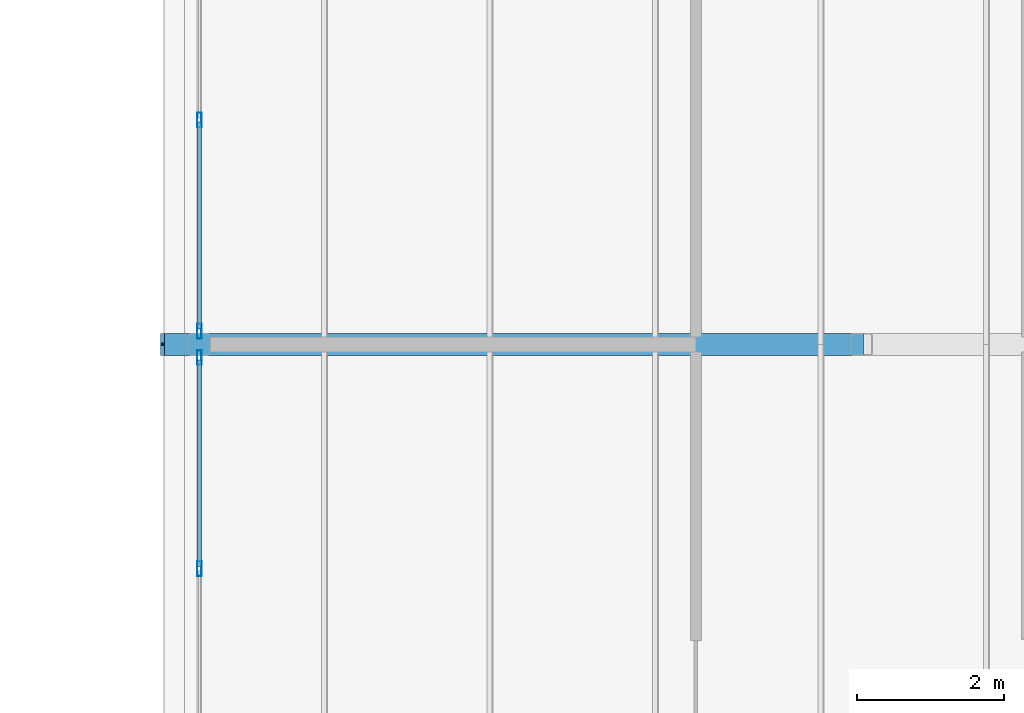
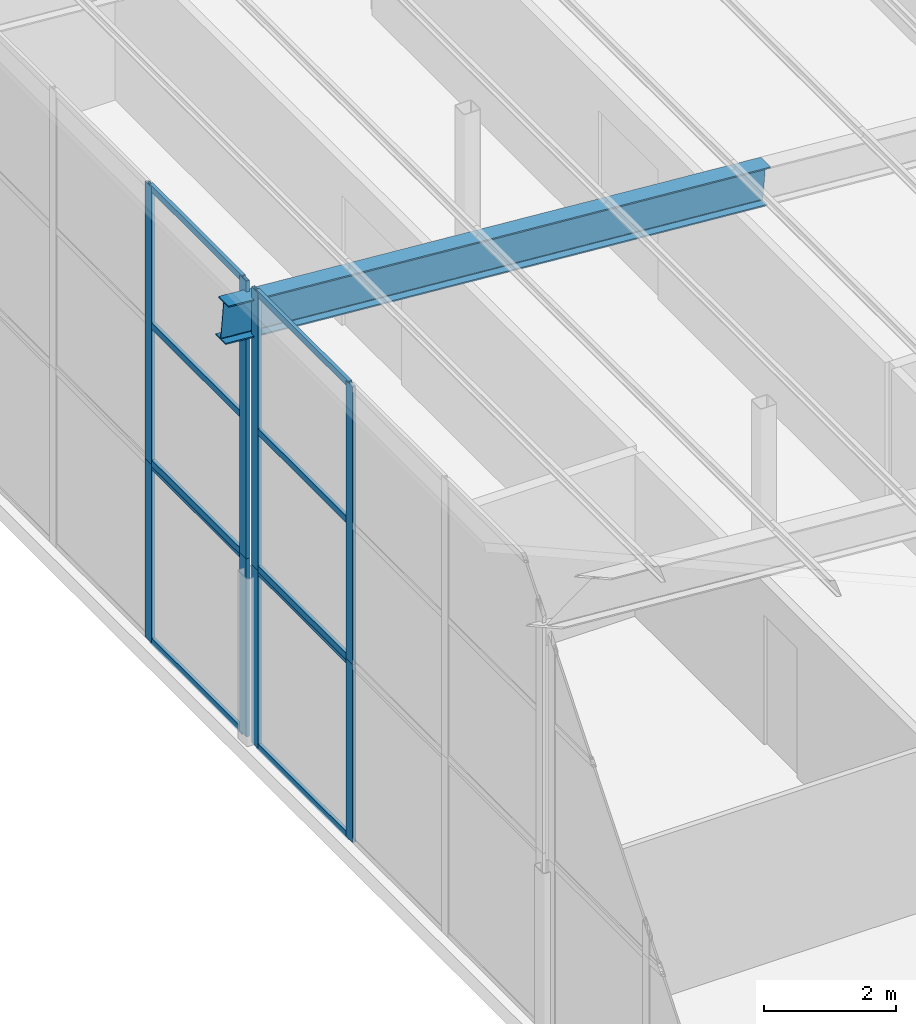
# One storey, part 39 of 85: 19 members, 4 elements without a shape of their own.
"""IFC4 building model written with IfcOpenShell, lengths in metres."""

from ifc_helpers import new_model, si_unit, direction, frame, origin, origin_2d, place, context, subcontext, project, spatial, hollow_rectangle, i_section, extrude, material, layer, layer_set, material_profile, profile_set, type_object, element, aggregate, save


model = new_model("IFC4")

# Units and contexts
model_context = context("Model", 3, precision=1e-05, world=origin(), true_north=direction((0.0, 1.0)))
body_context = subcontext(model_context, "Body", "Model", "MODEL_VIEW")
ifc_project = project(units=[si_unit("LENGTHUNIT", "METRE"), si_unit("AREAUNIT", "SQUARE_METRE"), si_unit("VOLUMEUNIT", "CUBIC_METRE"), si_unit("PLANEANGLEUNIT", "RADIAN"), si_unit("MASSUNIT", "GRAM", prefix="KILO")], contexts=[model_context])

# Site, building, storey
site_placement = place(None, origin())
site = spatial("IfcSite", under=ifc_project, at=site_placement, CompositionType="ELEMENT")
building_placement = place(site_placement, origin())
building = spatial("IfcBuilding", under=site, at=building_placement, Name="Opaline Strait Convention Centre", CompositionType="ELEMENT")
storey_placement = place(building_placement, frame((0.0, 0.0, 17.0)))
storey = spatial("IfcBuildingStorey", under=building, at=storey_placement, Name="L03", CompositionType="ELEMENT", Elevation=17.0)

# Curtain wall, members
ifc_material_1 = material(Name="Aluminium framed double glazing", Category="aluminium")
ifc_layer = layer(ifc_material_1, 0.199951171875)
ifc_layer_set = layer_set([ifc_layer], Name="Aluminium framed double glazing")
curtain_wall_type = type_object("IfcCurtainWallType", Name="Curtain wall 3000 module unitised", PredefinedType="NOTDEFINED", material=ifc_layer_set)
curtain_wall_1_placement = place(storey_placement, origin())
curtain_wall_1 = element("IfcCurtainWall", 1, at=curtain_wall_1_placement, inside=storey, type_object=curtain_wall_type, Name="Curtain wall W L03 32/S", PredefinedType="NOTDEFINED")
ifc_material_2 = material(Name="Aluminium alloy 6063", Category="aluminium")
ifc_material_profile_1 = material_profile(ifc_material_2, hollow_rectangle(XDim=0.06005859375, YDim=0.199951171875, WallThickness=0.00390625, at=origin_2d()), Name="MULLION 60x200x4")
ifc_profile_set_1 = profile_set([ifc_material_profile_1], Name="Aluminium alloy 6063")
member_type_1 = type_object("IfcMemberType", Name="Curtain wall mullion 60 x 200", PredefinedType="MULLION", material=ifc_profile_set_1)
member_1_placement = place(storey_placement, frame((279.0, 149.949951171875, 0.0), z_axis=(0.0, 0.0, 1.0), x_axis=(-1.0, 0.0, 0.0)))
member_1 = element("IfcMember", 2, at=member_1_placement, type_object=member_type_1, Name="MCWR1 mullion 3", PredefinedType="MULLION", context=body_context, shape_type="SweptSolid", body=[
    extrude(hollow_rectangle(XDim=0.06005859375, YDim=0.199951171875, WallThickness=0.00390625, at=origin_2d()), origin(), (0.0, 0.0, 1.0), 3.300048828125),
])
member_2_placement = place(storey_placement, frame((279.0, 152.820068359375, 0.0), z_axis=(0.0, 0.0, 1.0), x_axis=(-1.0, 0.0, 0.0)))
member_2 = element("IfcMember", 3, at=member_2_placement, type_object=member_type_1, Name="MCWR1 mullion 4", PredefinedType="MULLION", context=body_context, shape_type="SweptSolid", body=[
    extrude(hollow_rectangle(XDim=0.06005859375, YDim=0.199951171875, WallThickness=0.00390625, at=origin_2d()), origin(), (0.0, 0.0, 1.0), 3.300048828125),
])

curtain_wall_2_placement = place(storey_placement, origin())
curtain_wall_2 = element("IfcCurtainWall", 4, at=curtain_wall_2_placement, inside=storey, type_object=curtain_wall_type, Name="Curtain wall W L03 32/T", PredefinedType="NOTDEFINED")
member_3_placement = place(storey_placement, frame((279.0, 153.179931640625, 0.0), z_axis=(0.0, 0.0, 1.0), x_axis=(-1.0, 0.0, 0.0)))
member_3 = element("IfcMember", 5, at=member_3_placement, type_object=member_type_1, Name="MCWR1 mullion 1", PredefinedType="MULLION", context=body_context, shape_type="SweptSolid", body=[
    extrude(hollow_rectangle(XDim=0.06005859375, YDim=0.199951171875, WallThickness=0.00390625, at=origin_2d()), origin(), (0.0, 0.0, 1.0), 3.300048828125),
])
member_4_placement = place(storey_placement, frame((279.0, 156.050048828125, 0.0), z_axis=(0.0, 0.0, 1.0), x_axis=(-1.0, 0.0, 0.0)))
member_4 = element("IfcMember", 6, at=member_4_placement, type_object=member_type_1, Name="MCWR1 mullion 2", PredefinedType="MULLION", context=body_context, shape_type="SweptSolid", body=[
    extrude(hollow_rectangle(XDim=0.06005859375, YDim=0.199951171875, WallThickness=0.00390625, at=origin_2d()), origin(), (0.0, 0.0, 1.0), 3.300048828125),
])

curtain_wall_3_placement = place(storey_placement, origin())
curtain_wall_3 = element("IfcCurtainWall", 7, at=curtain_wall_3_placement, inside=storey, type_object=curtain_wall_type, Name="Clerestory curtain wall W L03 32/S", PredefinedType="NOTDEFINED")
member_5_placement = place(storey_placement, frame((279.0, 149.949951171875, 3.300048828125), z_axis=(0.0, 0.0, 1.0), x_axis=(-1.0, 0.0, 0.0)))
member_5 = element("IfcMember", 8, at=member_5_placement, type_object=member_type_1, Name="MCWR1 mullion 3", PredefinedType="MULLION", context=body_context, shape_type="SweptSolid", body=[
    extrude(hollow_rectangle(XDim=0.06005859375, YDim=0.199951171875, WallThickness=0.00390625, at=origin_2d()), origin(), (0.0, 0.0, 1.0), 5.144287109375),
])
member_6_placement = place(storey_placement, frame((279.0, 152.820068359375, 3.300048828125), z_axis=(0.0, 0.0, 1.0), x_axis=(-1.0, 0.0, 0.0)))
member_6 = element("IfcMember", 9, at=member_6_placement, type_object=member_type_1, Name="MCWR1 mullion 4", PredefinedType="MULLION", context=body_context, shape_type="SweptSolid", body=[
    extrude(hollow_rectangle(XDim=0.06005859375, YDim=0.199951171875, WallThickness=0.00390625, at=origin_2d()), origin(), (0.0, 0.0, 1.0), 5.144287109375),
])

curtain_wall_4_placement = place(storey_placement, origin())
curtain_wall_4 = element("IfcCurtainWall", 10, at=curtain_wall_4_placement, inside=storey, type_object=curtain_wall_type, Name="Clerestory curtain wall W L03 32/T", PredefinedType="NOTDEFINED")
member_7_placement = place(storey_placement, frame((279.0, 153.179931640625, 3.300048828125), z_axis=(0.0, 0.0, 1.0), x_axis=(-1.0, 0.0, 0.0)))
member_7 = element("IfcMember", 11, at=member_7_placement, type_object=member_type_1, Name="MCWR1 mullion 1", PredefinedType="MULLION", context=body_context, shape_type="SweptSolid", body=[
    extrude(hollow_rectangle(XDim=0.06005859375, YDim=0.199951171875, WallThickness=0.00390625, at=origin_2d()), origin(), (0.0, 0.0, 1.0), 5.144287109375),
])
member_8_placement = place(storey_placement, frame((279.0, 156.050048828125, 3.300048828125), z_axis=(0.0, 0.0, 1.0), x_axis=(-1.0, 0.0, 0.0)))
member_8 = element("IfcMember", 12, at=member_8_placement, type_object=member_type_1, Name="MCWR1 mullion 2", PredefinedType="MULLION", context=body_context, shape_type="SweptSolid", body=[
    extrude(hollow_rectangle(XDim=0.06005859375, YDim=0.199951171875, WallThickness=0.00390625, at=origin_2d()), origin(), (0.0, 0.0, 1.0), 5.144287109375),
])

# Member
ifc_material_profile_2 = material_profile(ifc_material_2, hollow_rectangle(XDim=0.06005859375, YDim=0.1201171875, WallThickness=0.0029296875, at=origin_2d()), Name="TRANSOM 60x120x3")
ifc_profile_set_2 = profile_set([ifc_material_profile_2], Name="Aluminium alloy 6063")
member_type_2 = type_object("IfcMemberType", Name="Curtain wall transom 60 x 120", PredefinedType="USERDEFINED", material=ifc_profile_set_2)
member_9_placement = place(storey_placement, frame((279.0, 149.97998046875, 0.030029296875), z_axis=(0.0, 1.0, 0.0), x_axis=(-1.0, 0.0, 0.0)))
member_9 = element("IfcMember", 13, at=member_9_placement, type_object=member_type_2, Name="MCWR1 transom 3.1", ObjectType="TRANSOM", PredefinedType="USERDEFINED", context=body_context, shape_type="SweptSolid", body=[
    extrude(hollow_rectangle(XDim=0.06005859375, YDim=0.1201171875, WallThickness=0.0029296875, at=origin_2d()), origin(), (0.0, 0.0, 1.0), 2.81005859375),
])

member_10_placement = place(storey_placement, frame((279.0, 149.97998046875, 3.27001953125), z_axis=(0.0, 1.0, 0.0), x_axis=(-1.0, 0.0, 0.0)))
member_10 = element("IfcMember", 14, at=member_10_placement, type_object=member_type_2, Name="MCWR1 transom 3.2", ObjectType="TRANSOM", PredefinedType="USERDEFINED", context=body_context, shape_type="SweptSolid", body=[
    extrude(hollow_rectangle(XDim=0.06005859375, YDim=0.1201171875, WallThickness=0.0029296875, at=origin_2d()), origin(), (0.0, 0.0, 1.0), 2.81005859375),
])

aggregate(curtain_wall_1, [member_1, member_2, member_9, member_10])

member_11_placement = place(storey_placement, frame((279.0, 153.2099609375, 0.030029296875), z_axis=(0.0, 1.0, 0.0), x_axis=(-1.0, 0.0, 0.0)))
member_11 = element("IfcMember", 15, at=member_11_placement, type_object=member_type_2, Name="MCWR1 transom 1.1", ObjectType="TRANSOM", PredefinedType="USERDEFINED", context=body_context, shape_type="SweptSolid", body=[
    extrude(hollow_rectangle(XDim=0.06005859375, YDim=0.1201171875, WallThickness=0.0029296875, at=origin_2d()), origin(), (0.0, 0.0, 1.0), 2.81005859375),
])

member_12_placement = place(storey_placement, frame((279.0, 153.2099609375, 3.27001953125), z_axis=(0.0, 1.0, 0.0), x_axis=(-1.0, 0.0, 0.0)))
member_12 = element("IfcMember", 16, at=member_12_placement, type_object=member_type_2, Name="MCWR1 transom 1.2", ObjectType="TRANSOM", PredefinedType="USERDEFINED", context=body_context, shape_type="SweptSolid", body=[
    extrude(hollow_rectangle(XDim=0.06005859375, YDim=0.1201171875, WallThickness=0.0029296875, at=origin_2d()), origin(), (0.0, 0.0, 1.0), 2.81005859375),
])

aggregate(curtain_wall_2, [member_3, member_4, member_11, member_12])

member_13_placement = place(storey_placement, frame((279.0, 149.97998046875, 3.330078125), z_axis=(0.0, 1.0, 0.0), x_axis=(-1.0, 0.0, 0.0)))
member_13 = element("IfcMember", 17, at=member_13_placement, type_object=member_type_2, Name="MCWR1 transom 3.1", ObjectType="TRANSOM", PredefinedType="USERDEFINED", context=body_context, shape_type="SweptSolid", body=[
    extrude(hollow_rectangle(XDim=0.06005859375, YDim=0.1201171875, WallThickness=0.0029296875, at=origin_2d()), origin(), (0.0, 0.0, 1.0), 2.81005859375),
])

member_14_placement = place(storey_placement, frame((279.0, 149.97998046875, 5.872314453125), z_axis=(0.0, 1.0, 0.0), x_axis=(-1.0, 0.0, 0.0)))
member_14 = element("IfcMember", 18, at=member_14_placement, type_object=member_type_2, Name="MCWR1 transom 3.2", ObjectType="TRANSOM", PredefinedType="USERDEFINED", context=body_context, shape_type="SweptSolid", body=[
    extrude(hollow_rectangle(XDim=0.06005859375, YDim=0.1201171875, WallThickness=0.0029296875, at=origin_2d()), origin(), (0.0, 0.0, 1.0), 2.81005859375),
])

member_15_placement = place(storey_placement, frame((279.0, 149.97998046875, 8.414306640625), z_axis=(0.0, 1.0, 0.0), x_axis=(-1.0, 0.0, 0.0)))
member_15 = element("IfcMember", 19, at=member_15_placement, type_object=member_type_2, Name="MCWR1 transom 3.3", ObjectType="TRANSOM", PredefinedType="USERDEFINED", context=body_context, shape_type="SweptSolid", body=[
    extrude(hollow_rectangle(XDim=0.06005859375, YDim=0.1201171875, WallThickness=0.0029296875, at=origin_2d()), origin(), (0.0, 0.0, 1.0), 2.81005859375),
])

aggregate(curtain_wall_3, [member_5, member_6, member_13, member_14, member_15])

member_16_placement = place(storey_placement, frame((279.0, 153.2099609375, 3.330078125), z_axis=(0.0, 1.0, 0.0), x_axis=(-1.0, 0.0, 0.0)))
member_16 = element("IfcMember", 20, at=member_16_placement, type_object=member_type_2, Name="MCWR1 transom 1.1", ObjectType="TRANSOM", PredefinedType="USERDEFINED", context=body_context, shape_type="SweptSolid", body=[
    extrude(hollow_rectangle(XDim=0.06005859375, YDim=0.1201171875, WallThickness=0.0029296875, at=origin_2d()), origin(), (0.0, 0.0, 1.0), 2.81005859375),
])

member_17_placement = place(storey_placement, frame((279.0, 153.2099609375, 5.872314453125), z_axis=(0.0, 1.0, 0.0), x_axis=(-1.0, 0.0, 0.0)))
member_17 = element("IfcMember", 21, at=member_17_placement, type_object=member_type_2, Name="MCWR1 transom 1.2", ObjectType="TRANSOM", PredefinedType="USERDEFINED", context=body_context, shape_type="SweptSolid", body=[
    extrude(hollow_rectangle(XDim=0.06005859375, YDim=0.1201171875, WallThickness=0.0029296875, at=origin_2d()), origin(), (0.0, 0.0, 1.0), 2.81005859375),
])

member_18_placement = place(storey_placement, frame((279.0, 153.2099609375, 8.414306640625), z_axis=(0.0, 1.0, 0.0), x_axis=(-1.0, 0.0, 0.0)))
member_18 = element("IfcMember", 22, at=member_18_placement, type_object=member_type_2, Name="MCWR1 transom 1.3", ObjectType="TRANSOM", PredefinedType="USERDEFINED", context=body_context, shape_type="SweptSolid", body=[
    extrude(hollow_rectangle(XDim=0.06005859375, YDim=0.1201171875, WallThickness=0.0029296875, at=origin_2d()), origin(), (0.0, 0.0, 1.0), 2.81005859375),
])

aggregate(curtain_wall_4, [member_7, member_8, member_16, member_17, member_18])

ifc_material_3 = material(Name="Steel Q355B", Category="steel")
ifc_material_profile_3 = material_profile(ifc_material_3, i_section(OverallWidth=0.300048828125, OverallDepth=0.699951171875, WebThickness=0.012939453125, FlangeThickness=0.02392578125, FilletRadius=0.01806640625, at=origin_2d()), Name="HN 700x300x13x24")
ifc_profile_set_3 = profile_set([ifc_material_profile_3], Name="Steel Q355B")
member_type_3 = type_object("IfcMemberType", Name="Roof rafter HN 700x300x13x24", PredefinedType="RAFTER", material=ifc_profile_set_3)
member_19_placement = place(storey_placement, frame((278.5, 153.0, 7.93212890625), z_axis=(0.996916213079, 0.0, -0.078473333693), x_axis=(0.0, 1.0, 0.0)))
element("IfcMember", 23, at=member_19_placement, inside=storey, type_object=member_type_3, Name="MRR1 rafter y 153", PredefinedType="RAFTER", context=body_context, shape_type="SweptSolid", body=[
    extrude(i_section(OverallWidth=0.300048828125, OverallDepth=0.699951171875, WebThickness=0.012939453125, FlangeThickness=0.02392578125, FilletRadius=0.01806640625, at=origin_2d()), origin(), (0.0, 0.0, 1.0), 9.529296875),
])

save(model, "model.ifc")
